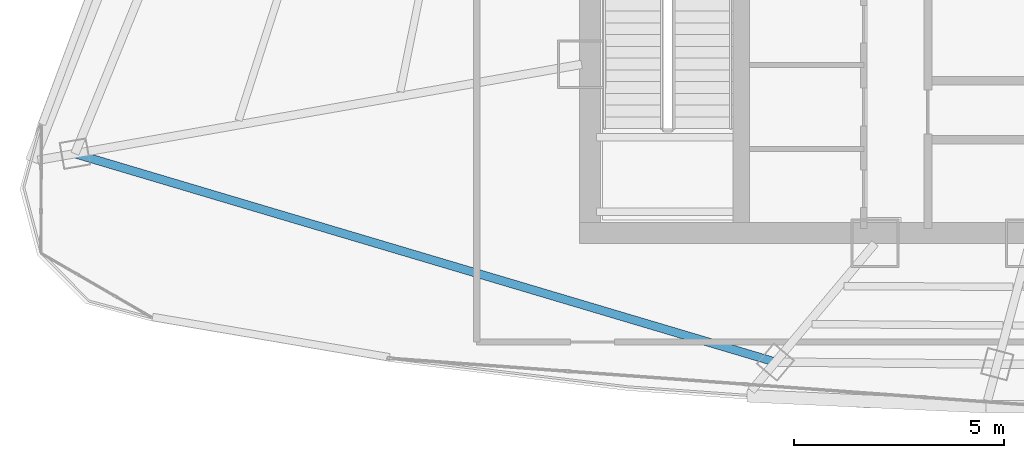
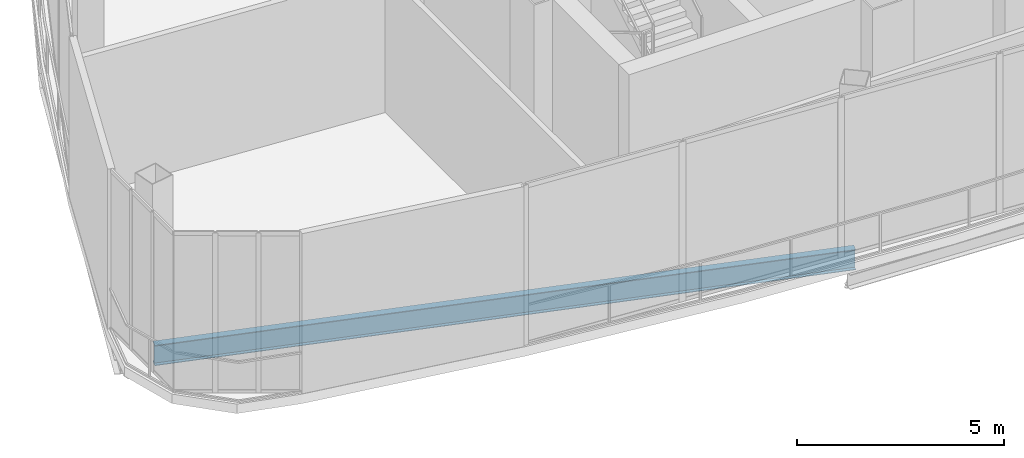
# One storey, part 4 of 33: 1 beam.
"""IFC4 building model written with IfcOpenShell, lengths in metres."""

from ifc_helpers import new_model, si_unit, direction, frame, origin, origin_2d, place, context, subcontext, project, spatial, i_section, extrude, source, transform, mapped, material, material_profile, profile_set, type_object, element, save


model = new_model("IFC4")

# Units and contexts
model_context = context("Model", 3, precision=1e-05, world=origin(), true_north=direction((0.0, 1.0)))
body_context = subcontext(model_context, "Body", "Model", "MODEL_VIEW")
ifc_project = project(units=[si_unit("LENGTHUNIT", "METRE"), si_unit("AREAUNIT", "SQUARE_METRE"), si_unit("VOLUMEUNIT", "CUBIC_METRE"), si_unit("PLANEANGLEUNIT", "RADIAN"), si_unit("MASSUNIT", "GRAM", prefix="KILO"), si_unit("THERMODYNAMICTEMPERATUREUNIT", "KELVIN"), si_unit("POWERUNIT", "WATT")], contexts=[model_context])

# Site, building, storey
site_placement = place(None, origin())
site = spatial("IfcSite", under=ifc_project, at=site_placement, CompositionType="ELEMENT")
building_placement = place(site_placement, origin())
building = spatial("IfcBuilding", under=site, at=building_placement, Name="Yunzhuo Pagoda Commons", CompositionType="ELEMENT")
storey_placement = place(building_placement, frame((0.0, 0.0, 391.760009765625)))
storey = spatial("IfcBuildingStorey", under=building, at=storey_placement, Name="L97", CompositionType="ELEMENT", Elevation=391.760009765625)

# Beam
ifc_material = material(Name="Structural steel Q355B", Category="steel")
ifc_material_profile = material_profile(ifc_material, i_section(OverallWidth=0.199951171875, OverallDepth=0.60009765625, WebThickness=0.010986328125, FlangeThickness=0.01708984375, at=origin_2d()), Name="Structural steel Q355B")
ifc_profile_set = profile_set([ifc_material_profile], Name="Structural steel Q355B")
beam_type = type_object("IfcBeamType", Name="B-RG3 Beam HN 600x200x11x17", PredefinedType="BEAM", material=ifc_profile_set)
shared_shape = source(origin(), body_context, "Body", "SweptSolid", [
    extrude(i_section(OverallWidth=0.199951171875, OverallDepth=0.60009765625, WebThickness=0.010986328125, FlangeThickness=0.01708984375, at=origin_2d()), origin(), (0.0, 0.0, 1.0), 17.407470703125),
])
beam_placement = place(storey_placement, frame((23.52978515625, 29.38525390625, -0.580078125), z_axis=(0.958484984609, -0.285143006717, 0.0), x_axis=(0.285143006717, 0.958484984609, 0.0)))
element("IfcBeam", 1, at=beam_placement, inside=storey, type_object=beam_type, Name="L97 column-ring beam 12", PredefinedType="BEAM", context=body_context, shape_type="MappedRepresentation", body=[
    mapped(shared_shape, transform((0.0, 0.0, 0.0), scale=1.0)),
])

save(model, "model.ifc")
